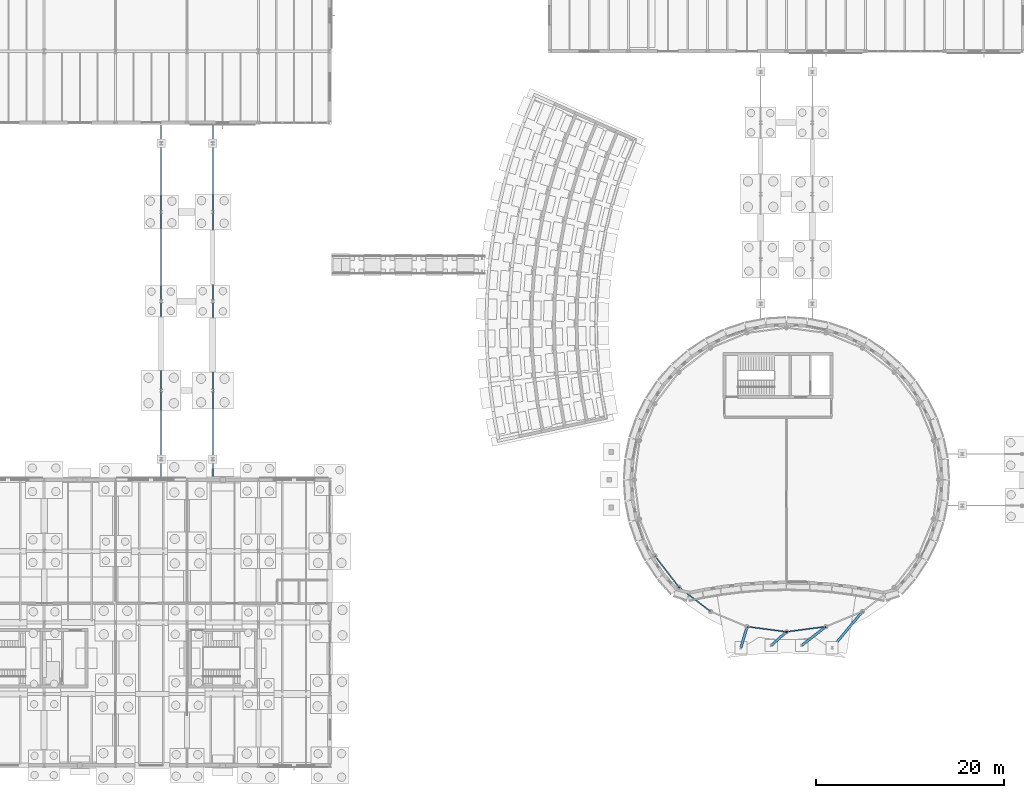
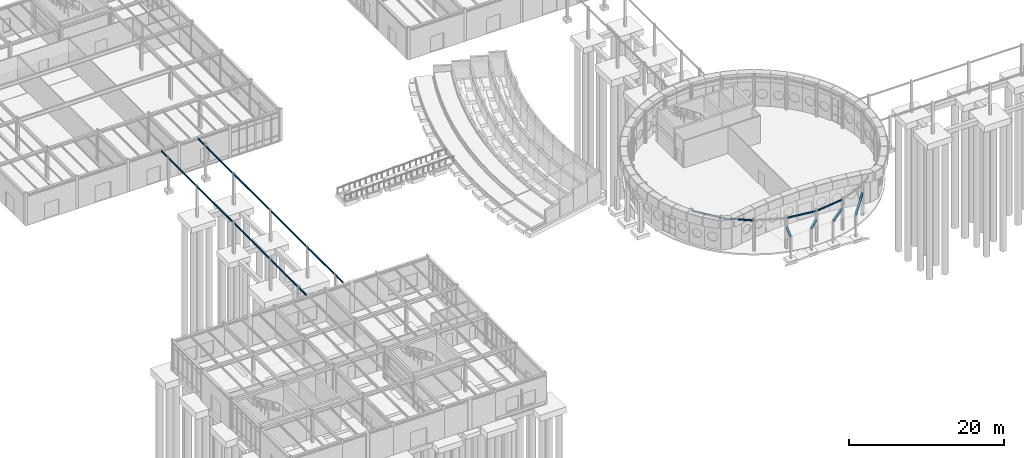
# One storey, part 36 of 109: 12 beams.
"""IFC4 building model written with IfcOpenShell, lengths in metres."""

from ifc_helpers import new_model, si_unit, direction, frame, origin, origin_2d, place, context, subcontext, project, spatial, i_section, extrude, material, material_profile, profile_set, type_object, element, save


model = new_model("IFC4")

# Units and contexts
model_context = context("Model", 3, precision=1e-05, world=origin(), true_north=direction((0.0, 1.0)))
body_context = subcontext(model_context, "Body", "Model", "MODEL_VIEW")
ifc_project = project(units=[si_unit("LENGTHUNIT", "METRE"), si_unit("AREAUNIT", "SQUARE_METRE"), si_unit("VOLUMEUNIT", "CUBIC_METRE"), si_unit("PLANEANGLEUNIT", "RADIAN"), si_unit("MASSUNIT", "GRAM", prefix="KILO")], contexts=[model_context])

# Site, building, storey
site_placement = place(None, origin())
site = spatial("IfcSite", under=ifc_project, at=site_placement, CompositionType="ELEMENT")
building_placement = place(site_placement, origin())
building = spatial("IfcBuilding", under=site, at=building_placement, Name="Montecoro Central Library", CompositionType="ELEMENT")
storey_placement = place(building_placement, origin())
storey = spatial("IfcBuildingStorey", under=building, at=storey_placement, Name="L00", CompositionType="ELEMENT", Elevation=0.0)

# Beams
ifc_material_1 = material(Name="Steel S355J2", Category="steel")
ifc_material_profile_1 = material_profile(ifc_material_1, i_section(OverallWidth=0.260009765625, OverallDepth=0.25, WebThickness=0.007568359375, FlangeThickness=0.012451171875, at=origin_2d()), Name="HEA 260")
ifc_profile_set_1 = profile_set([ifc_material_profile_1], Name="Steel S355J2")
beam_type_1 = type_object("IfcBeamType", Name="BM-DR-HEA260", PredefinedType="BEAM", material=ifc_profile_set_1)
beam_1_placement = place(storey_placement, frame((96.4541015625, 17.513916015625, 3.423095703125), z_axis=(0.641059351746, 0.767491307794, 0.0), x_axis=(-0.767491307794, 0.641059351746, 0.0)))
element("IfcBeam", 1, at=beam_1_placement, inside=storey, type_object=beam_type_1, Name="CAN-RIB-1", PredefinedType="BEAM", context=body_context, shape_type="SweptSolid", body=[
    extrude(i_section(OverallWidth=0.260009765625, OverallDepth=0.25, WebThickness=0.007568359375, FlangeThickness=0.012451171875, at=origin_2d()), origin(), (0.0, 0.0, 1.0), 5.047607421875),
])
beam_2_placement = place(storey_placement, frame((93.220947265625, 17.76806640625, 3.423095703125), z_axis=(0.788418666051, 0.615139014388, 0.0), x_axis=(-0.615139014388, 0.788418666051, 0.0)))
element("IfcBeam", 2, at=beam_2_placement, inside=storey, type_object=beam_type_1, Name="CAN-RIB-2", PredefinedType="BEAM", context=body_context, shape_type="SweptSolid", body=[
    extrude(i_section(OverallWidth=0.260009765625, OverallDepth=0.25, WebThickness=0.007568359375, FlangeThickness=0.012451171875, at=origin_2d()), origin(), (0.0, 0.0, 1.0), 3.256103515625),
])
beam_3_placement = place(storey_placement, frame((89.97900390625, 17.76806640625, 3.423095703125), z_axis=(0.74490967101, 0.667165333358, 0.0), x_axis=(-0.667165333358, 0.74490967101, 0.0)))
element("IfcBeam", 3, at=beam_3_placement, inside=storey, type_object=beam_type_1, Name="CAN-RIB-3", PredefinedType="BEAM", context=body_context, shape_type="SweptSolid", body=[
    extrude(i_section(OverallWidth=0.260009765625, OverallDepth=0.25, WebThickness=0.007568359375, FlangeThickness=0.012451171875, at=origin_2d()), origin(), (0.0, 0.0, 1.0), 2.17626953125),
])
beam_4_placement = place(storey_placement, frame((86.74609375, 17.513916015625, 3.423095703125), z_axis=(0.283014339569, 0.959115677902, 0.0), x_axis=(-0.959115677902, 0.283014339569, 0.0)))
element("IfcBeam", 4, at=beam_4_placement, inside=storey, type_object=beam_type_1, Name="CAN-RIB-4", PredefinedType="BEAM", context=body_context, shape_type="SweptSolid", body=[
    extrude(i_section(OverallWidth=0.260009765625, OverallDepth=0.25, WebThickness=0.007568359375, FlangeThickness=0.012451171875, at=origin_2d()), origin(), (0.0, 0.0, 1.0), 2.353271484375),
])
ifc_material_2 = material(Name="Steel S355", Category="steel")
ifc_material_profile_2 = material_profile(ifc_material_2, i_section(OverallWidth=0.1201171875, OverallDepth=0.239990234375, WebThickness=0.006103515625, FlangeThickness=0.009765625, at=origin_2d()), Name="IPE 240")
ifc_profile_set_2 = profile_set([ifc_material_profile_2], Name="Steel S355")
beam_type_2 = type_object("IfcBeamType", Name="BM-SP-IPE240", PredefinedType="SPANDREL", material=ifc_profile_set_2)
for number, where, z_axis, x_axis, name in (
    (5, (77.593994140625, 27.302001953125, 4.72509765625), (0.608772883181, -0.793344551064, 0.0), (0.793344551064, 0.608772883181, 0.0), "V1-L00-RING-15"),
    (6, (80.1669921875, 23.952880859375, 4.72509765625), (0.793372600918, -0.608736327249, 0.0), (0.608736327249, 0.793372600918, 0.0), "V1-L00-RING-16"),
):
    element("IfcBeam", number, at=place(storey_placement, frame(where, z_axis=z_axis, x_axis=x_axis)), inside=storey, type_object=beam_type_2, Name=name, PredefinedType="SPANDREL", context=body_context, shape_type="SweptSolid", body=[
        extrude(i_section(OverallWidth=0.1201171875, OverallDepth=0.239990234375, WebThickness=0.006103515625, FlangeThickness=0.009765625, at=origin_2d()), origin(), (0.0, 0.0, 1.0), 4.20361328125),
    ])
for number, where, z_axis, x_axis, name in (
    (7, (87.422119140625, 19.77001953125, 4.72509765625), (0.99143412197, -0.130607740177, 0.0), (0.130607740177, 0.99143412197, 0.0), "V1-L00-RING-18"),
    (8, (91.610107421875, 19.220947265625, 4.72509765625), (0.99143412197, 0.130607740177, 0.0), (-0.130607740177, 0.99143412197, 0.0), "V1-L00-RING-19"),
):
    element("IfcBeam", number, at=place(storey_placement, frame(where, z_axis=z_axis, x_axis=x_axis)), inside=storey, type_object=beam_type_2, Name=name, PredefinedType="SPANDREL", context=body_context, shape_type="SweptSolid", body=[
        extrude(i_section(OverallWidth=0.1201171875, OverallDepth=0.239990234375, WebThickness=0.006103515625, FlangeThickness=0.009765625, at=origin_2d()), origin(), (0.0, 0.0, 1.0), 4.2041015625),
    ])
for number, where, z_axis, x_axis, name in (
    (9, (25.050048828125, 35.6201171875, 4.794921875), (0.0, 1.0, 0.0), (-1.0, 0.0, 0.0), "BR-W-L01-BM-W1"),
    (10, (25.050048828125, 54.56005859375, 4.794921875), (0.0, 1.0, 0.0), (-1.0, 0.0, 0.0), "BR-W-L01-BM-W2"),
    (11, (30.550048828125, 35.6201171875, 4.794921875), (0.0, 1.0, 0.0), (-1.0, 0.0, 0.0), "BR-W-L01-BM-E1"),
    (12, (30.550048828125, 54.56005859375, 4.794921875), (0.0, 1.0, 0.0), (-1.0, 0.0, 0.0), "BR-W-L01-BM-E2"),
):
    element("IfcBeam", number, at=place(storey_placement, frame(where, z_axis=z_axis, x_axis=x_axis)), inside=storey, type_object=beam_type_2, Name=name, PredefinedType="SPANDREL", context=body_context, shape_type="SweptSolid", body=[
        extrude(i_section(OverallWidth=0.1201171875, OverallDepth=0.239990234375, WebThickness=0.006103515625, FlangeThickness=0.009765625, at=origin_2d()), origin(), (0.0, 0.0, 1.0), 18.619873046875),
    ])

save(model, "model.ifc")
